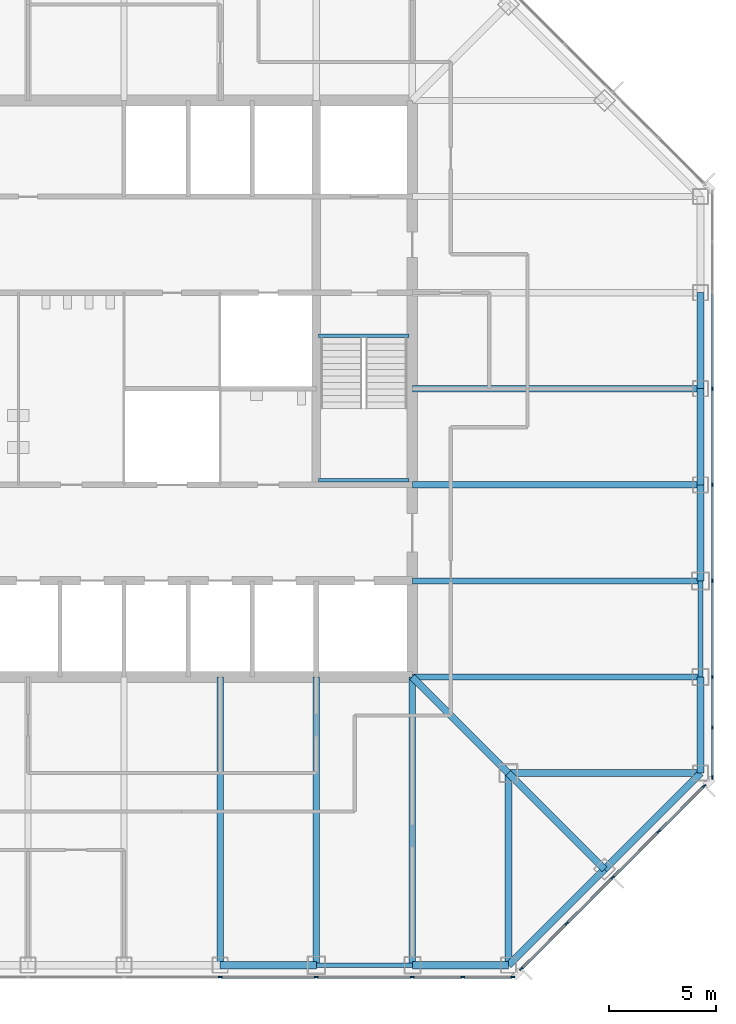
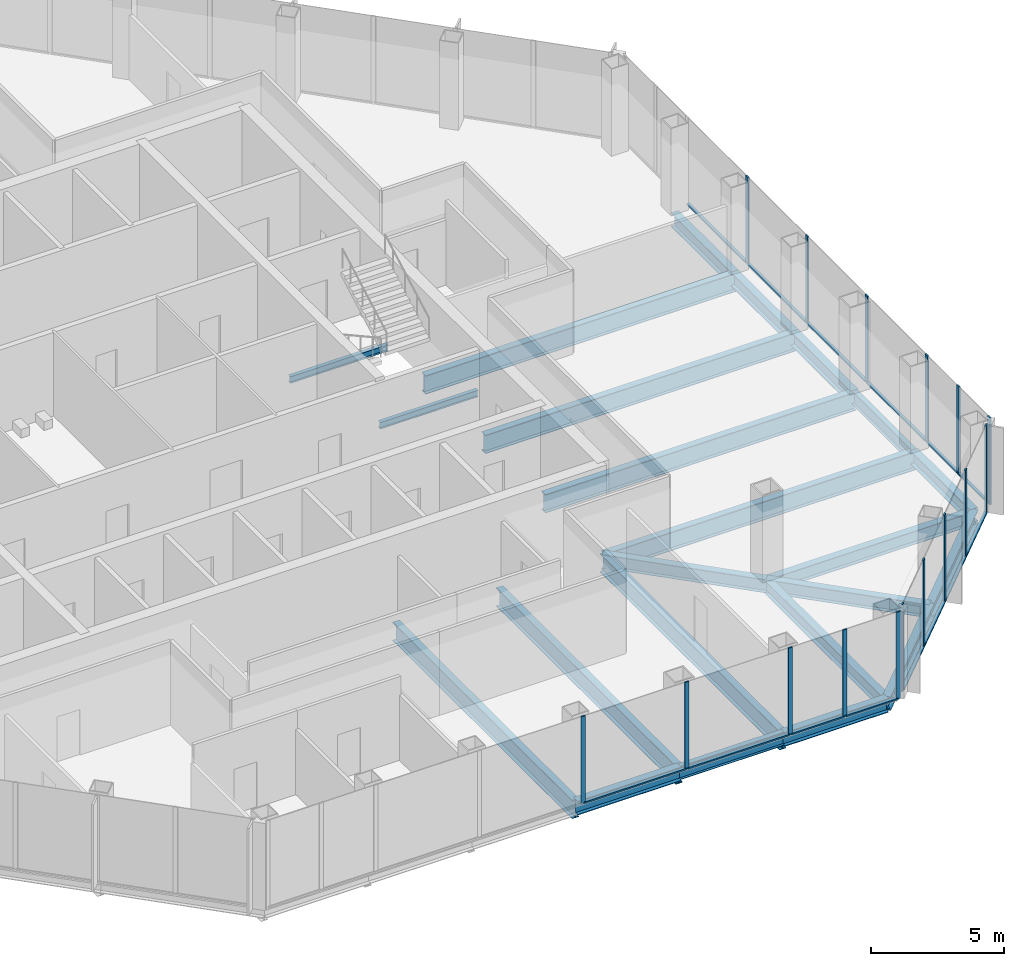
# One storey, part 4 of 13: 30 members, 23 beams, 3 elements without a shape of their own.
"""IFC4 building model written with IfcOpenShell, lengths in metres."""

import ifcopenshell
import ifcopenshell.guid

model = None  # the IFC model being written
_history = None  # IfcOwnerHistory: only IFC2X3 demands one
_inside = {}  # id of a spatial element -> (the spatial element, [elements in it])
_under = {}  # id of a project, library or spatial element -> (it, [spatial elements below it])
_declared = {}  # id of a project -> (the project, [libraries it declares])
_typed = {}  # id of a type object -> (the type object, [elements of that type])
_made_of = {}  # id of a material, layer set ... -> (it, [elements and type objects made of it])


def new_model(schema):
    """Start an empty IFC model of exactly this schema.

    Asked for "IFC4X3", IfcOpenShell would pick the latest addendum, in which some entities
    have other attributes; the version numbers below select the first issue.
    IFC2X3 requires an IfcOwnerHistory on every rooted entity: one is made here for all.
    """
    global model, _history
    if schema == "IFC4X3":
        model = ifcopenshell.file(schema_version=(4, 3, 0, 0))
    else:
        model = ifcopenshell.file(schema=schema)
    _inside.clear()
    _under.clear()
    _declared.clear()
    _typed.clear()
    _made_of.clear()
    _history = None
    if model.schema == "IFC2X3":
        org = make("IfcOrganization", Name="unknown")
        user = make(
            "IfcPersonAndOrganization",
            ThePerson=make("IfcPerson", FamilyName="unknown"),
            TheOrganization=org,
        )
        app = make(
            "IfcApplication",
            ApplicationDeveloper=org,
            Version="unknown",
            ApplicationFullName="unknown",
            ApplicationIdentifier="unknown",
        )
        _history = make(
            "IfcOwnerHistory",
            OwningUser=user,
            OwningApplication=app,
            ChangeAction="ADDED",
            CreationDate=0,
        )
    return model


def make(cls, **values):
    """One entity of the class cls with the attributes given. An attribute that is None is left unset."""
    return model.create_entity(
        cls, **{name: value for name, value in values.items() if value is not None}
    )


def rooted(cls, **values):
    """An entity with a GlobalId (a new one), such as an element, a storey or a relation."""
    return make(cls, GlobalId=ifcopenshell.guid.new(), OwnerHistory=_history, **values)


def si_unit(unit_type, name, prefix=None):
    """IfcSIUnit, for example si_unit("LENGTHUNIT", "METRE", prefix="MILLI")."""
    return make("IfcSIUnit", UnitType=unit_type, Prefix=prefix, Name=name)


def assignment(units):
    """IfcUnitAssignment: the units of a project."""
    return None if units is None else make("IfcUnitAssignment", Units=units)


def point(xyz):
    """IfcCartesianPoint."""
    return None if xyz is None else make("IfcCartesianPoint", Coordinates=xyz)


def direction(xyz):
    """IfcDirection."""
    return None if xyz is None else make("IfcDirection", DirectionRatios=xyz)


def frame(location, z_axis=None, x_axis=None):
    """IfcAxis2Placement3D, a coordinate frame: its origin and axes. An axis left out is left unset."""
    return make(
        "IfcAxis2Placement3D",
        Location=point(location),
        Axis=direction(z_axis),
        RefDirection=direction(x_axis),
    )


def frame_2d(location, x_axis=None):
    """IfcAxis2Placement2D, a coordinate frame in the plane: its origin and x axis."""
    return make(
        "IfcAxis2Placement2D", Location=point(location), RefDirection=direction(x_axis)
    )


def origin():
    """The frame at (0, 0, 0) with its axes left unset."""
    return frame((0.0, 0.0, 0.0))


def origin_2d():
    """The frame at (0, 0) in the plane with its x axis left unset."""
    return frame_2d((0.0, 0.0))


def place(relative_to, where):
    """IfcLocalPlacement: puts the frame where relative to a parent placement (None: the world)."""
    return make(
        "IfcLocalPlacement", PlacementRelTo=relative_to, RelativePlacement=where
    )


def context(
    kind, dimensions, precision=None, world=None, true_north=None, identifier=None
):
    """IfcGeometricRepresentationContext, for example the 3D "Model" context."""
    return make(
        "IfcGeometricRepresentationContext",
        ContextIdentifier=identifier,
        ContextType=kind,
        CoordinateSpaceDimension=dimensions,
        Precision=precision,
        WorldCoordinateSystem=world,
        TrueNorth=true_north,
    )


def subcontext(parent, identifier, kind, view, scale=None):
    """IfcGeometricRepresentationSubContext, for example "Body" below "Model"."""
    return make(
        "IfcGeometricRepresentationSubContext",
        ContextIdentifier=identifier,
        ContextType=kind,
        ParentContext=parent,
        TargetScale=scale,
        TargetView=view,
    )


def project(units=None, contexts=None):
    """IfcProject with its units and contexts."""
    return rooted(
        "IfcProject",
        Name="project",
        RepresentationContexts=contexts,
        UnitsInContext=assignment(units),
    )


def spatial(cls, under=None, at=None, **own):
    """A site, building, storey or space (cls), placed at a placement, below another one or the project."""
    s = rooted(cls, ObjectPlacement=at, **own)
    if under is not None:
        _under.setdefault(under.id(), (under, []))[1].append(s)
    return s


def profile(cls, at=None, kind="AREA", **sizes):
    """A parametric profile (cls). Its sizes go by their IFC names, for example OverallWidth=200.0."""
    return make(cls, ProfileType=kind, Position=at, **sizes)


def rectangle(**sizes):
    """IfcRectangleProfileDef."""
    return profile("IfcRectangleProfileDef", **sizes)


def i_section(**sizes):
    """IfcIShapeProfileDef."""
    return profile("IfcIShapeProfileDef", **sizes)


def extrude(swept, where, along, depth):
    """IfcExtrudedAreaSolid: the profile swept, set in the frame where, extruded along a direction by depth."""
    return make(
        "IfcExtrudedAreaSolid",
        SweptArea=swept,
        Position=where,
        ExtrudedDirection=direction(along),
        Depth=depth,
    )


def shape(context_of_items, identifier, shape_type, items):
    """IfcShapeRepresentation: the items that make up one representation, for example the "Body"."""
    return make(
        "IfcShapeRepresentation",
        ContextOfItems=context_of_items,
        RepresentationIdentifier=identifier,
        RepresentationType=shape_type,
        Items=items,
    )


def material(Name=None, Category=None):
    """IfcMaterial."""
    return make("IfcMaterial", Name=Name, Category=Category)


def material_profile(
    of_material, cross_section, Name=None, Category=None, Priority=None
):
    """IfcMaterialProfile: a cross section and its material."""
    return make(
        "IfcMaterialProfile",
        Name=Name,
        Material=of_material,
        Profile=cross_section,
        Priority=Priority,
        Category=Category,
    )


def profile_set(profiles, Name=None, composite=None):
    """IfcMaterialProfileSet."""
    return make(
        "IfcMaterialProfileSet",
        Name=Name,
        MaterialProfiles=profiles,
        CompositeProfile=composite,
    )


def made_of(thing, what):
    """Note that an element or type object is made of a material, layer set ...; save() writes the relation."""
    if what is not None:
        _made_of.setdefault(what.id(), (what, []))[1].append(thing)
    return thing


def type_object(cls, material=None, **own):
    """A type object (cls), such as IfcWallType, which elements share."""
    return made_of(rooted(cls, **own), material)


def element(
    cls,
    number,
    at=None,
    inside=None,
    cuts=None,
    type_object=None,
    material=None,
    context=None,
    identifier="Body",
    shape_type=None,
    held_by="IfcProductDefinitionShape",
    body=None,
    shapes=None,
    **own,
):
    """One element of the class cls, such as IfcWall. Its Tag is "e" and its number.

    at: its placement. inside: the storey or other place that contains it. cuts: it is an
    opening in that element (IfcRelVoidsElement). A single representation is given by context,
    identifier, shape_type and body (its items); several are given by shapes. held_by: the class
    of the entity that holds the representations. save() writes the other relations.
    """
    e = rooted(cls, Tag="e%d" % number, ObjectPlacement=at, **own)
    if body is not None:
        shapes = [shape(context, identifier, shape_type, body)]
    if shapes is not None:
        e.Representation = make(held_by, Representations=shapes)
    if inside is not None:
        _inside.setdefault(inside.id(), (inside, []))[1].append(e)
    if cuts is not None:
        rooted(
            "IfcRelVoidsElement", RelatingBuildingElement=cuts, RelatedOpeningElement=e
        )
    if type_object is not None:
        _typed.setdefault(type_object.id(), (type_object, []))[1].append(e)
    return made_of(e, material)


def aggregate(whole, parts):
    """IfcRelAggregates: a whole, such as a stair, and the parts it consists of."""
    return rooted("IfcRelAggregates", RelatingObject=whole, RelatedObjects=parts)


def save(model, path):
    """Write the relations noted so far, then the file.

    IfcRelAggregates (storeys below a building ...), IfcRelContainedInSpatialStructure (elements
    in a storey), IfcRelDefinesByType, IfcRelAssociatesMaterial and IfcRelDeclares: one each for
    every whole, place, type object, material and project.
    """
    for whole, parts in _under.values():
        aggregate(whole, parts)
    for where, things in _inside.values():
        rooted(
            "IfcRelContainedInSpatialStructure",
            RelatedElements=things,
            RelatingStructure=where,
        )
    for kind, things in _typed.values():
        rooted("IfcRelDefinesByType", RelatedObjects=things, RelatingType=kind)
    for what, things in _made_of.values():
        rooted("IfcRelAssociatesMaterial", RelatedObjects=things, RelatingMaterial=what)
    for by, libraries in _declared.values():
        rooted("IfcRelDeclares", RelatingContext=by, RelatedDefinitions=libraries)
    model.write(path)


model = new_model("IFC4")

# Units and contexts
model_context = context("Model", 3, precision=1e-05, world=origin(), true_north=direction((0.0, 1.0)))
body_context = subcontext(model_context, "Body", "Model", "MODEL_VIEW")
ifc_project = project(units=[si_unit("LENGTHUNIT", "METRE"), si_unit("AREAUNIT", "SQUARE_METRE"), si_unit("VOLUMEUNIT", "CUBIC_METRE"), si_unit("PLANEANGLEUNIT", "RADIAN"), si_unit("MASSUNIT", "GRAM", prefix="KILO")], contexts=[model_context])

# Site, building, storey
site_placement = place(None, origin())
site = spatial("IfcSite", under=ifc_project, at=site_placement, CompositionType="ELEMENT")
building_placement = place(site_placement, origin())
building = spatial("IfcBuilding", under=site, at=building_placement, Name="Corais Broadcast Tower", CompositionType="ELEMENT")
storey_placement = place(building_placement, frame((0.0, 0.0, 119.60009765625)))
storey = spatial("IfcBuildingStorey", under=building, at=storey_placement, Name="L26", CompositionType="ELEMENT", Elevation=119.60009765625)

# Beams
ifc_material_1 = material(Name="Steel ASTM A572 Grade 50", Category="steel")
ifc_material_profile_1 = material_profile(ifc_material_1, i_section(OverallWidth=0.323974609375, OverallDepth=0.611083984375, WebThickness=0.0126953125, FlangeThickness=0.01904296875, at=origin_2d()), Name="W610x155")
ifc_profile_set_1 = profile_set([ifc_material_profile_1], Name="Steel ASTM A572 Grade 50")
beam_type_1 = type_object("IfcBeamType", Name="Chamfer tie W610x155", PredefinedType="BEAM", material=ifc_profile_set_1)
beam_1_placement = place(storey_placement, frame((49.5, 4.5, -0.465576171875), z_axis=(-0.707106781187, 0.707106781187, 0.0), x_axis=(-0.707106781187, -0.707106781187, 0.0)))
element("IfcBeam", 1, at=beam_1_placement, inside=storey, type_object=beam_type_1, Name="B5 B/14 to C/13", PredefinedType="BEAM", context=body_context, shape_type="SweptSolid", body=[
    extrude(i_section(OverallWidth=0.323974609375, OverallDepth=0.611083984375, WebThickness=0.0126953125, FlangeThickness=0.01904296875, at=origin_2d()), origin(), (0.0, 0.0, 1.0), 6.364013671875),
])
ifc_material_2 = material(Name="Steel ASTM A572 Grade 50", Category="steel")
ifc_material_profile_2 = material_profile(ifc_material_2, i_section(OverallWidth=0.323974609375, OverallDepth=0.611083984375, WebThickness=0.0126953125, FlangeThickness=0.01904296875, at=origin_2d()), Name="W610x155")
ifc_profile_set_2 = profile_set([ifc_material_profile_2], Name="Steel ASTM A572 Grade 50")
beam_type_2 = type_object("IfcBeamType", Name="Corner diagonal W610x155", PredefinedType="BEAM", material=ifc_profile_set_2)
beam_2_placement = place(storey_placement, frame((45.0, 9.0, -0.465576171875), z_axis=(-0.707106781187, 0.707106781187, 0.0), x_axis=(-0.707106781187, -0.707106781187, 0.0)))
element("IfcBeam", 2, at=beam_2_placement, inside=storey, type_object=beam_type_2, Name="B6 C/13 to D/12", PredefinedType="BEAM", context=body_context, shape_type="SweptSolid", body=[
    extrude(i_section(OverallWidth=0.323974609375, OverallDepth=0.611083984375, WebThickness=0.0126953125, FlangeThickness=0.01904296875, at=origin_2d()), origin(), (0.0, 0.0, 1.0), 6.364013671875),
])
ifc_material_3 = material(Name="Steel ASTM A572 Grade 50", Category="steel")
ifc_material_profile_3 = material_profile(ifc_material_3, i_section(OverallWidth=0.323974609375, OverallDepth=0.611083984375, WebThickness=0.0126953125, FlangeThickness=0.01904296875, at=origin_2d()), Name="W610x155")
ifc_profile_set_3 = profile_set([ifc_material_profile_3], Name="Steel ASTM A572 Grade 50")
beam_type_3 = type_object("IfcBeamType", Name="Corner girder W610x155", PredefinedType="BEAM", material=ifc_profile_set_3)
for number, where, z_axis, x_axis, name in (
    (3, (45.0, 0.0, -0.465576171875), (0.0, 1.0, 0.0), (-1.0, 0.0, 0.0), "B4 A/13 to C/13"),
    (4, (54.0, 9.0, -0.465576171875), (-1.0, 0.0, 0.0), (0.0, -1.0, 0.0), "B4 C/15 to C/13"),
):
    element("IfcBeam", number, at=place(storey_placement, frame(where, z_axis=z_axis, x_axis=x_axis)), inside=storey, type_object=beam_type_3, Name=name, PredefinedType="BEAM", context=body_context, shape_type="SweptSolid", body=[
        extrude(i_section(OverallWidth=0.323974609375, OverallDepth=0.611083984375, WebThickness=0.0126953125, FlangeThickness=0.01904296875, at=origin_2d()), origin(), (0.0, 0.0, 1.0), 9.0),
    ])
ifc_material_4 = material(Name="Steel ASTM A572 Grade 50", Category="steel")
ifc_material_profile_4 = material_profile(ifc_material_4, i_section(OverallWidth=0.2939453125, OverallDepth=0.85107421875, WebThickness=0.01611328125, FlangeThickness=0.02685546875, at=origin_2d()), Name="W840x226")
ifc_profile_set_4 = profile_set([ifc_material_profile_4], Name="Steel ASTM A572 Grade 50")
beam_type_4 = type_object("IfcBeamType", Name="Floor beam W840x226", PredefinedType="BEAM", material=ifc_profile_set_4)
for number, where, z_axis, x_axis, name in (
    (5, (31.5, 0.0, -0.585693359375), (0.0, 1.0, 0.0), (-1.0, 0.0, 0.0), "B1 A/10 to D/10"),
    (6, (36.0, 0.0, -0.585693359375), (0.0, 1.0, 0.0), (-1.0, 0.0, 0.0), "B1 A/11 to D/11"),
    (7, (40.5, 0.0, -0.585693359375), (0.0, 1.0, 0.0), (-1.0, 0.0, 0.0), "B1 A/12 to D/12"),
    (8, (54.0, 13.5, -0.585693359375), (-1.0, 0.0, 0.0), (0.0, -1.0, 0.0), "B1 D/15 to D/12"),
    (9, (54.0, 18.0, -0.585693359375), (-1.0, 0.0, 0.0), (0.0, -1.0, 0.0), "B1 E/15 to E/12"),
    (10, (54.0, 22.5, -0.585693359375), (-1.0, 0.0, 0.0), (0.0, -1.0, 0.0), "B1 F/15 to F/12"),
    (11, (54.0, 27.0, -0.585693359375), (-1.0, 0.0, 0.0), (0.0, -1.0, 0.0), "B1 G/15 to G/12"),
):
    element("IfcBeam", number, at=place(storey_placement, frame(where, z_axis=z_axis, x_axis=x_axis)), inside=storey, type_object=beam_type_4, Name=name, PredefinedType="BEAM", context=body_context, shape_type="SweptSolid", body=[
        extrude(i_section(OverallWidth=0.2939453125, OverallDepth=0.85107421875, WebThickness=0.01611328125, FlangeThickness=0.02685546875, at=origin_2d()), origin(), (0.0, 0.0, 1.0), 13.5),
    ])
ifc_material_5 = material(Name="Steel ASTM A572 Grade 50", Category="steel")
ifc_material_profile_5 = material_profile(ifc_material_5, i_section(OverallWidth=0.1650390625, OverallDepth=0.31005859375, WebThickness=0.005859375, FlangeThickness=0.009765625, at=origin_2d()), Name="W310x38.7")
ifc_profile_set_5 = profile_set([ifc_material_profile_5], Name="Steel ASTM A572 Grade 50")
beam_type_5 = type_object("IfcBeamType", Name="Landing trimmer W310x38.7", PredefinedType="BEAM", material=ifc_profile_set_5)
for number, where, z_axis, x_axis, name in (
    (12, (36.10009765625, 29.47509765625, -0.35498046875), (1.0, 0.0, 0.0), (0.0, 1.0, 0.0), "LT1 stair B landing trimmer L26"),
    (13, (36.10009765625, 22.715087890625, 1.64501953125), (1.0, 0.0, 0.0), (0.0, 1.0, 0.0), "LT1 stair B half landing trimmer L26"),
):
    element("IfcBeam", number, at=place(storey_placement, frame(where, z_axis=z_axis, x_axis=x_axis)), inside=storey, type_object=beam_type_5, Name=name, PredefinedType="BEAM", context=body_context, shape_type="SweptSolid", body=[
        extrude(i_section(OverallWidth=0.1650390625, OverallDepth=0.31005859375, WebThickness=0.005859375, FlangeThickness=0.009765625, at=origin_2d()), origin(), (0.0, 0.0, 1.0), 4.25),
    ])

# Curtain wall, members
ifc_material_6 = material(Name="Aluminium and glass", Category="aluminium")
curtain_wall_type = type_object("IfcCurtainWallType", Name="Unitised fritted curtain wall CW2", PredefinedType="NOTDEFINED", material=ifc_material_6)
curtain_wall_1_placement = place(storey_placement, origin())
curtain_wall_1 = element("IfcCurtainWall", 14, at=curtain_wall_1_placement, inside=storey, type_object=curtain_wall_type, Name="CW2 curtain wall L26 6", PredefinedType="NOTDEFINED")
ifc_material_7 = material(Name="Aluminium 6063-T6", Category="aluminium")
ifc_material_profile_6 = material_profile(ifc_material_7, rectangle(XDim=0.06494140625, YDim=0.179931640625, at=origin_2d()), Name="Mullion CW2 65x180")
ifc_profile_set_6 = profile_set([ifc_material_profile_6], Name="Aluminium 6063-T6")
member_type_1 = type_object("IfcMemberType", Name="Mullion CW2 65x180", PredefinedType="MULLION", material=ifc_profile_set_6)
member_1_placement = place(storey_placement, frame((54.550048828125, 27.0, 0.0), z_axis=(0.0, 0.0, 1.0), x_axis=(1.0, 0.0, 0.0)))
member_1 = element("IfcMember", 15, at=member_1_placement, type_object=member_type_1, Name="CW2 mullion 4", PredefinedType="MULLION", context=body_context, shape_type="SweptSolid", body=[
    extrude(rectangle(XDim=0.06494140625, YDim=0.179931640625, at=origin_2d()), origin(), (0.0, 0.0, 1.0), 4.0),
])
member_2_placement = place(storey_placement, frame((54.550048828125, 22.5, 0.0), z_axis=(0.0, 0.0, 1.0), x_axis=(1.0, 0.0, 0.0)))
member_2 = element("IfcMember", 16, at=member_2_placement, type_object=member_type_1, Name="CW2 mullion 5", PredefinedType="MULLION", context=body_context, shape_type="SweptSolid", body=[
    extrude(rectangle(XDim=0.06494140625, YDim=0.179931640625, at=origin_2d()), origin(), (0.0, 0.0, 1.0), 4.0),
])
member_3_placement = place(storey_placement, frame((54.550048828125, 18.0, 0.0), z_axis=(0.0, 0.0, 1.0), x_axis=(1.0, 0.0, 0.0)))
member_3 = element("IfcMember", 17, at=member_3_placement, type_object=member_type_1, Name="CW2 mullion 6", PredefinedType="MULLION", context=body_context, shape_type="SweptSolid", body=[
    extrude(rectangle(XDim=0.06494140625, YDim=0.179931640625, at=origin_2d()), origin(), (0.0, 0.0, 1.0), 4.0),
])
member_4_placement = place(storey_placement, frame((54.550048828125, 13.5, 0.0), z_axis=(0.0, 0.0, 1.0), x_axis=(1.0, 0.0, 0.0)))
member_4 = element("IfcMember", 18, at=member_4_placement, type_object=member_type_1, Name="CW2 mullion 7", PredefinedType="MULLION", context=body_context, shape_type="SweptSolid", body=[
    extrude(rectangle(XDim=0.06494140625, YDim=0.179931640625, at=origin_2d()), origin(), (0.0, 0.0, 1.0), 4.0),
])
member_5_placement = place(storey_placement, frame((54.550048828125, 11.135986328125, 0.0), z_axis=(0.0, 0.0, 1.0), x_axis=(1.0, 0.0, 0.0)))
member_5 = element("IfcMember", 19, at=member_5_placement, type_object=member_type_1, Name="CW2 mullion 8", PredefinedType="MULLION", context=body_context, shape_type="SweptSolid", body=[
    extrude(rectangle(XDim=0.06494140625, YDim=0.179931640625, at=origin_2d()), origin(), (0.0, 0.0, 1.0), 4.0),
])
member_6_placement = place(storey_placement, frame((54.550048828125, 8.8046875, 0.0), z_axis=(0.0, 0.0, 1.0), x_axis=(1.0, 0.0, 0.0)))
member_6 = element("IfcMember", 20, at=member_6_placement, type_object=member_type_1, Name="CW2 mullion 9", PredefinedType="MULLION", context=body_context, shape_type="SweptSolid", body=[
    extrude(rectangle(XDim=0.06494140625, YDim=0.179931640625, at=origin_2d()), origin(), (0.0, 0.0, 1.0), 4.0),
])

curtain_wall_2_placement = place(storey_placement, origin())
curtain_wall_2 = element("IfcCurtainWall", 21, at=curtain_wall_2_placement, inside=storey, type_object=curtain_wall_type, Name="CW2 curtain wall L26 7", PredefinedType="NOTDEFINED")
member_7_placement = place(storey_placement, frame((54.17333984375, 8.3955078125, 0.0), z_axis=(0.0, 0.0, 1.0), x_axis=(0.707106781187, -0.707106781187, 0.0)))
member_7 = element("IfcMember", 22, at=member_7_placement, type_object=member_type_1, Name="CW2 mullion 1", PredefinedType="MULLION", context=body_context, shape_type="SweptSolid", body=[
    extrude(rectangle(XDim=0.06494140625, YDim=0.179931640625, at=origin_2d()), origin(), (0.0, 0.0, 1.0), 4.0),
])
member_8_placement = place(storey_placement, frame((52.042724609375, 6.264892578125, 0.0), z_axis=(0.0, 0.0, 1.0), x_axis=(0.707106781187, -0.707106781187, 0.0)))
member_8 = element("IfcMember", 23, at=member_8_placement, type_object=member_type_1, Name="CW2 mullion 2", PredefinedType="MULLION", context=body_context, shape_type="SweptSolid", body=[
    extrude(rectangle(XDim=0.06494140625, YDim=0.179931640625, at=origin_2d()), origin(), (0.0, 0.0, 1.0), 4.0),
])
member_9_placement = place(storey_placement, frame((49.888916015625, 4.111083984375, 0.0), z_axis=(0.0, 0.0, 1.0), x_axis=(0.707106781187, -0.707106781187, 0.0)))
member_9 = element("IfcMember", 24, at=member_9_placement, type_object=member_type_1, Name="CW2 mullion 3", PredefinedType="MULLION", context=body_context, shape_type="SweptSolid", body=[
    extrude(rectangle(XDim=0.06494140625, YDim=0.179931640625, at=origin_2d()), origin(), (0.0, 0.0, 1.0), 4.0),
])
member_10_placement = place(storey_placement, frame((47.735107421875, 1.957275390625, 0.0), z_axis=(0.0, 0.0, 1.0), x_axis=(0.707106781187, -0.707106781187, 0.0)))
member_10 = element("IfcMember", 25, at=member_10_placement, type_object=member_type_1, Name="CW2 mullion 4", PredefinedType="MULLION", context=body_context, shape_type="SweptSolid", body=[
    extrude(rectangle(XDim=0.06494140625, YDim=0.179931640625, at=origin_2d()), origin(), (0.0, 0.0, 1.0), 4.0),
])
member_11_placement = place(storey_placement, frame((45.6044921875, -0.17333984375, 0.0), z_axis=(0.0, 0.0, 1.0), x_axis=(0.707106781187, -0.707106781187, 0.0)))
member_11 = element("IfcMember", 26, at=member_11_placement, type_object=member_type_1, Name="CW2 mullion 5", PredefinedType="MULLION", context=body_context, shape_type="SweptSolid", body=[
    extrude(rectangle(XDim=0.06494140625, YDim=0.179931640625, at=origin_2d()), origin(), (0.0, 0.0, 1.0), 4.0),
])

curtain_wall_3_placement = place(storey_placement, origin())
curtain_wall_3 = element("IfcCurtainWall", 27, at=curtain_wall_3_placement, inside=storey, type_object=curtain_wall_type, Name="CW2 curtain wall L26 8", PredefinedType="NOTDEFINED")
member_12_placement = place(storey_placement, frame((45.1953125, -0.550048828125, 0.0), z_axis=(0.0, 0.0, 1.0), x_axis=(0.0, -1.0, 0.0)))
member_12 = element("IfcMember", 28, at=member_12_placement, type_object=member_type_1, Name="CW2 mullion 1", PredefinedType="MULLION", context=body_context, shape_type="SweptSolid", body=[
    extrude(rectangle(XDim=0.06494140625, YDim=0.179931640625, at=origin_2d()), origin(), (0.0, 0.0, 1.0), 4.0),
])
member_13_placement = place(storey_placement, frame((42.864013671875, -0.550048828125, 0.0), z_axis=(0.0, 0.0, 1.0), x_axis=(0.0, -1.0, 0.0)))
member_13 = element("IfcMember", 29, at=member_13_placement, type_object=member_type_1, Name="CW2 mullion 2", PredefinedType="MULLION", context=body_context, shape_type="SweptSolid", body=[
    extrude(rectangle(XDim=0.06494140625, YDim=0.179931640625, at=origin_2d()), origin(), (0.0, 0.0, 1.0), 4.0),
])
member_14_placement = place(storey_placement, frame((40.5, -0.550048828125, 0.0), z_axis=(0.0, 0.0, 1.0), x_axis=(0.0, -1.0, 0.0)))
member_14 = element("IfcMember", 30, at=member_14_placement, type_object=member_type_1, Name="CW2 mullion 3", PredefinedType="MULLION", context=body_context, shape_type="SweptSolid", body=[
    extrude(rectangle(XDim=0.06494140625, YDim=0.179931640625, at=origin_2d()), origin(), (0.0, 0.0, 1.0), 4.0),
])
member_15_placement = place(storey_placement, frame((36.0, -0.550048828125, 0.0), z_axis=(0.0, 0.0, 1.0), x_axis=(0.0, -1.0, 0.0)))
member_15 = element("IfcMember", 31, at=member_15_placement, type_object=member_type_1, Name="CW2 mullion 4", PredefinedType="MULLION", context=body_context, shape_type="SweptSolid", body=[
    extrude(rectangle(XDim=0.06494140625, YDim=0.179931640625, at=origin_2d()), origin(), (0.0, 0.0, 1.0), 4.0),
])
member_16_placement = place(storey_placement, frame((31.5, -0.550048828125, 0.0), z_axis=(0.0, 0.0, 1.0), x_axis=(0.0, -1.0, 0.0)))
member_16 = element("IfcMember", 32, at=member_16_placement, type_object=member_type_1, Name="CW2 mullion 5", PredefinedType="MULLION", context=body_context, shape_type="SweptSolid", body=[
    extrude(rectangle(XDim=0.06494140625, YDim=0.179931640625, at=origin_2d()), origin(), (0.0, 0.0, 1.0), 4.0),
])

# Beams
ifc_material_8 = material(Name="Steel ASTM A572 Grade 50", Category="steel")
ifc_material_profile_7 = material_profile(ifc_material_8, i_section(OverallWidth=0.22900390625, OverallDepth=0.612060546875, WebThickness=0.011962890625, FlangeThickness=0.01953125, at=origin_2d()), Name="W610x125")
ifc_profile_set_7 = profile_set([ifc_material_profile_7], Name="Steel ASTM A572 Grade 50")
beam_type_6 = type_object("IfcBeamType", Name="Pinned spandrel W610x125", PredefinedType="BEAM", material=ifc_profile_set_7)
for number, where, z_axis, x_axis, name in (
    (33, (36.0, 0.0, -0.466064453125), (1.0, 0.0, 0.0), (0.0, 1.0, 0.0), "SB7 A/11 to A/12"),
    (34, (54.0, 13.5, -0.466064453125), (0.0, 1.0, 0.0), (-1.0, 0.0, 0.0), "SB7 D/15 to E/15"),
):
    element("IfcBeam", number, at=place(storey_placement, frame(where, z_axis=z_axis, x_axis=x_axis)), inside=storey, type_object=beam_type_6, Name=name, PredefinedType="BEAM", context=body_context, shape_type="SweptSolid", body=[
        extrude(i_section(OverallWidth=0.22900390625, OverallDepth=0.612060546875, WebThickness=0.011962890625, FlangeThickness=0.01953125, at=origin_2d()), origin(), (0.0, 0.0, 1.0), 4.5),
    ])
ifc_material_9 = material(Name="Steel ASTM A572 Grade 50", Category="steel")
ifc_material_profile_8 = material_profile(ifc_material_9, i_section(OverallWidth=0.3291015625, OverallDepth=0.635009765625, WebThickness=0.017822265625, FlangeThickness=0.031005859375, at=origin_2d()), Name="W610x241")
ifc_profile_set_8 = profile_set([ifc_material_profile_8], Name="Steel ASTM A572 Grade 50")
beam_type_7 = type_object("IfcBeamType", Name="Spandrel W610x241", PredefinedType="BEAM", material=ifc_profile_set_8)
for number, where, z_axis, x_axis, name in (
    (35, (31.5, 0.0, -0.4775390625), (1.0, 0.0, 0.0), (0.0, 1.0, 0.0), "SB1 A/10 to A/11"),
    (36, (40.5, 0.0, -0.4775390625), (1.0, 0.0, 0.0), (0.0, 1.0, 0.0), "SB1 A/12 to A/13"),
):
    element("IfcBeam", number, at=place(storey_placement, frame(where, z_axis=z_axis, x_axis=x_axis)), inside=storey, type_object=beam_type_7, Name=name, PredefinedType="BEAM", context=body_context, shape_type="SweptSolid", body=[
        extrude(i_section(OverallWidth=0.3291015625, OverallDepth=0.635009765625, WebThickness=0.017822265625, FlangeThickness=0.031005859375, at=origin_2d()), origin(), (0.0, 0.0, 1.0), 4.5),
    ])
for number, where, z_axis, x_axis, name in (
    (37, (45.0, 0.0, -0.4775390625), (0.707106781187, 0.707106781187, 0.0), (-0.707106781187, 0.707106781187, 0.0), "SB1 A/13 to B/14"),
    (38, (49.5, 4.5, -0.4775390625), (0.707106781187, 0.707106781187, 0.0), (-0.707106781187, 0.707106781187, 0.0), "SB1 B/14 to C/15"),
):
    element("IfcBeam", number, at=place(storey_placement, frame(where, z_axis=z_axis, x_axis=x_axis)), inside=storey, type_object=beam_type_7, Name=name, PredefinedType="BEAM", context=body_context, shape_type="SweptSolid", body=[
        extrude(i_section(OverallWidth=0.3291015625, OverallDepth=0.635009765625, WebThickness=0.017822265625, FlangeThickness=0.031005859375, at=origin_2d()), origin(), (0.0, 0.0, 1.0), 6.364013671875),
    ])
for number, where, z_axis, x_axis, name in (
    (39, (54.0, 18.0, -0.4775390625), (0.0, 1.0, 0.0), (-1.0, 0.0, 0.0), "SB1 E/15 to F/15"),
    (40, (54.0, 22.5, -0.4775390625), (0.0, 1.0, 0.0), (-1.0, 0.0, 0.0), "SB1 F/15 to G/15"),
    (41, (54.0, 27.0, -0.4775390625), (0.0, 1.0, 0.0), (-1.0, 0.0, 0.0), "SB1 G/15 to H/15"),
    (42, (54.0, 9.0, -0.4775390625), (0.0, 1.0, 0.0), (-1.0, 0.0, 0.0), "SB1 C/15 to D/15"),
):
    element("IfcBeam", number, at=place(storey_placement, frame(where, z_axis=z_axis, x_axis=x_axis)), inside=storey, type_object=beam_type_7, Name=name, PredefinedType="BEAM", context=body_context, shape_type="SweptSolid", body=[
        extrude(i_section(OverallWidth=0.3291015625, OverallDepth=0.635009765625, WebThickness=0.017822265625, FlangeThickness=0.031005859375, at=origin_2d()), origin(), (0.0, 0.0, 1.0), 4.5),
    ])

# Member
ifc_material_10 = material(Name="Aluminium 6063-T6", Category="aluminium")
ifc_material_profile_9 = material_profile(ifc_material_10, rectangle(XDim=0.1298828125, YDim=0.06494140625, at=origin_2d()), Name="Transom CW2 65x130")
ifc_profile_set_9 = profile_set([ifc_material_profile_9], Name="Aluminium 6063-T6")
member_type_2 = type_object("IfcMemberType", Name="Transom CW2 65x130", PredefinedType="USERDEFINED", material=ifc_profile_set_9)
member_17_placement = place(storey_placement, frame((54.550048828125, 31.467529296875, 0.032470703125), z_axis=(0.0, -1.0, 0.0), x_axis=(1.0, 0.0, 0.0)))
member_17 = element("IfcMember", 43, at=member_17_placement, type_object=member_type_2, Name="CW2 transom 3.1", ObjectType="TRANSOM", PredefinedType="USERDEFINED", context=body_context, shape_type="SweptSolid", body=[
    extrude(rectangle(XDim=0.1298828125, YDim=0.06494140625, at=origin_2d()), origin(), (0.0, 0.0, 1.0), 4.43505859375),
])

member_18_placement = place(storey_placement, frame((54.550048828125, 26.967529296875, 0.032470703125), z_axis=(0.0, -1.0, 0.0), x_axis=(1.0, 0.0, 0.0)))
member_18 = element("IfcMember", 44, at=member_18_placement, type_object=member_type_2, Name="CW2 transom 4.1", ObjectType="TRANSOM", PredefinedType="USERDEFINED", context=body_context, shape_type="SweptSolid", body=[
    extrude(rectangle(XDim=0.1298828125, YDim=0.06494140625, at=origin_2d()), origin(), (0.0, 0.0, 1.0), 4.43505859375),
])

member_19_placement = place(storey_placement, frame((54.550048828125, 22.467529296875, 0.032470703125), z_axis=(0.0, -1.0, 0.0), x_axis=(1.0, 0.0, 0.0)))
member_19 = element("IfcMember", 45, at=member_19_placement, type_object=member_type_2, Name="CW2 transom 5.1", ObjectType="TRANSOM", PredefinedType="USERDEFINED", context=body_context, shape_type="SweptSolid", body=[
    extrude(rectangle(XDim=0.1298828125, YDim=0.06494140625, at=origin_2d()), origin(), (0.0, 0.0, 1.0), 4.43505859375),
])

member_20_placement = place(storey_placement, frame((54.550048828125, 17.967529296875, 0.032470703125), z_axis=(0.0, -1.0, 0.0), x_axis=(1.0, 0.0, 0.0)))
member_20 = element("IfcMember", 46, at=member_20_placement, type_object=member_type_2, Name="CW2 transom 6.1", ObjectType="TRANSOM", PredefinedType="USERDEFINED", context=body_context, shape_type="SweptSolid", body=[
    extrude(rectangle(XDim=0.1298828125, YDim=0.06494140625, at=origin_2d()), origin(), (0.0, 0.0, 1.0), 4.43505859375),
])

member_21_placement = place(storey_placement, frame((54.550048828125, 13.467529296875, 0.032470703125), z_axis=(0.0, -1.0, 0.0), x_axis=(1.0, 0.0, 0.0)))
member_21 = element("IfcMember", 47, at=member_21_placement, type_object=member_type_2, Name="CW2 transom 7.1", ObjectType="TRANSOM", PredefinedType="USERDEFINED", context=body_context, shape_type="SweptSolid", body=[
    extrude(rectangle(XDim=0.1298828125, YDim=0.06494140625, at=origin_2d()), origin(), (0.0, 0.0, 1.0), 2.298828125),
])

member_22_placement = place(storey_placement, frame((54.550048828125, 11.103515625, 0.032470703125), z_axis=(0.0, -1.0, 0.0), x_axis=(1.0, 0.0, 0.0)))
member_22 = element("IfcMember", 48, at=member_22_placement, type_object=member_type_2, Name="CW2 transom 8.1", ObjectType="TRANSOM", PredefinedType="USERDEFINED", context=body_context, shape_type="SweptSolid", body=[
    extrude(rectangle(XDim=0.1298828125, YDim=0.06494140625, at=origin_2d()), origin(), (0.0, 0.0, 1.0), 2.266357421875),
])

aggregate(curtain_wall_1, [member_1, member_2, member_3, member_4, member_5, member_6, member_17, member_18, member_19, member_20, member_21, member_22])

member_23_placement = place(storey_placement, frame((54.150390625, 8.37255859375, 0.032470703125), z_axis=(-0.707106781187, -0.707106781187, 0.0), x_axis=(0.707106781187, -0.707106781187, 0.0)))
member_23 = element("IfcMember", 49, at=member_23_placement, type_object=member_type_2, Name="CW2 transom 1.1", ObjectType="TRANSOM", PredefinedType="USERDEFINED", context=body_context, shape_type="SweptSolid", body=[
    extrude(rectangle(XDim=0.1298828125, YDim=0.06494140625, at=origin_2d()), origin(), (0.0, 0.0, 1.0), 2.9482421875),
])

member_24_placement = place(storey_placement, frame((52.019775390625, 6.241943359375, 0.032470703125), z_axis=(-0.707106781187, -0.707106781187, 0.0), x_axis=(0.707106781187, -0.707106781187, 0.0)))
member_24 = element("IfcMember", 50, at=member_24_placement, type_object=member_type_2, Name="CW2 transom 2.1", ObjectType="TRANSOM", PredefinedType="USERDEFINED", context=body_context, shape_type="SweptSolid", body=[
    extrude(rectangle(XDim=0.1298828125, YDim=0.06494140625, at=origin_2d()), origin(), (0.0, 0.0, 1.0), 2.98095703125),
])

member_25_placement = place(storey_placement, frame((49.865966796875, 4.088134765625, 0.032470703125), z_axis=(-0.707106781187, -0.707106781187, 0.0), x_axis=(0.707106781187, -0.707106781187, 0.0)))
member_25 = element("IfcMember", 51, at=member_25_placement, type_object=member_type_2, Name="CW2 transom 3.1", ObjectType="TRANSOM", PredefinedType="USERDEFINED", context=body_context, shape_type="SweptSolid", body=[
    extrude(rectangle(XDim=0.1298828125, YDim=0.06494140625, at=origin_2d()), origin(), (0.0, 0.0, 1.0), 2.98095703125),
])

member_26_placement = place(storey_placement, frame((47.712158203125, 1.934326171875, 0.032470703125), z_axis=(-0.707106781187, -0.707106781187, 0.0), x_axis=(0.707106781187, -0.707106781187, 0.0)))
member_26 = element("IfcMember", 52, at=member_26_placement, type_object=member_type_2, Name="CW2 transom 4.1", ObjectType="TRANSOM", PredefinedType="USERDEFINED", context=body_context, shape_type="SweptSolid", body=[
    extrude(rectangle(XDim=0.1298828125, YDim=0.06494140625, at=origin_2d()), origin(), (0.0, 0.0, 1.0), 2.9482421875),
])

aggregate(curtain_wall_2, [member_7, member_8, member_9, member_10, member_11, member_23, member_24, member_25, member_26])

member_27_placement = place(storey_placement, frame((45.162841796875, -0.550048828125, 0.032470703125), z_axis=(-1.0, 0.0, 0.0), x_axis=(0.0, -1.0, 0.0)))
member_27 = element("IfcMember", 53, at=member_27_placement, type_object=member_type_2, Name="CW2 transom 1.1", ObjectType="TRANSOM", PredefinedType="USERDEFINED", context=body_context, shape_type="SweptSolid", body=[
    extrude(rectangle(XDim=0.1298828125, YDim=0.06494140625, at=origin_2d()), origin(), (0.0, 0.0, 1.0), 2.266357421875),
])

member_28_placement = place(storey_placement, frame((42.831298828125, -0.550048828125, 0.032470703125), z_axis=(-1.0, 0.0, 0.0), x_axis=(0.0, -1.0, 0.0)))
member_28 = element("IfcMember", 54, at=member_28_placement, type_object=member_type_2, Name="CW2 transom 2.1", ObjectType="TRANSOM", PredefinedType="USERDEFINED", context=body_context, shape_type="SweptSolid", body=[
    extrude(rectangle(XDim=0.1298828125, YDim=0.06494140625, at=origin_2d()), origin(), (0.0, 0.0, 1.0), 2.298828125),
])

member_29_placement = place(storey_placement, frame((40.467529296875, -0.550048828125, 0.032470703125), z_axis=(-1.0, 0.0, 0.0), x_axis=(0.0, -1.0, 0.0)))
member_29 = element("IfcMember", 55, at=member_29_placement, type_object=member_type_2, Name="CW2 transom 3.1", ObjectType="TRANSOM", PredefinedType="USERDEFINED", context=body_context, shape_type="SweptSolid", body=[
    extrude(rectangle(XDim=0.1298828125, YDim=0.06494140625, at=origin_2d()), origin(), (0.0, 0.0, 1.0), 4.43505859375),
])

member_30_placement = place(storey_placement, frame((35.967529296875, -0.550048828125, 0.032470703125), z_axis=(-1.0, 0.0, 0.0), x_axis=(0.0, -1.0, 0.0)))
member_30 = element("IfcMember", 56, at=member_30_placement, type_object=member_type_2, Name="CW2 transom 4.1", ObjectType="TRANSOM", PredefinedType="USERDEFINED", context=body_context, shape_type="SweptSolid", body=[
    extrude(rectangle(XDim=0.1298828125, YDim=0.06494140625, at=origin_2d()), origin(), (0.0, 0.0, 1.0), 4.43505859375),
])

aggregate(curtain_wall_3, [member_12, member_13, member_14, member_15, member_16, member_27, member_28, member_29, member_30])

save(model, "model.ifc")
